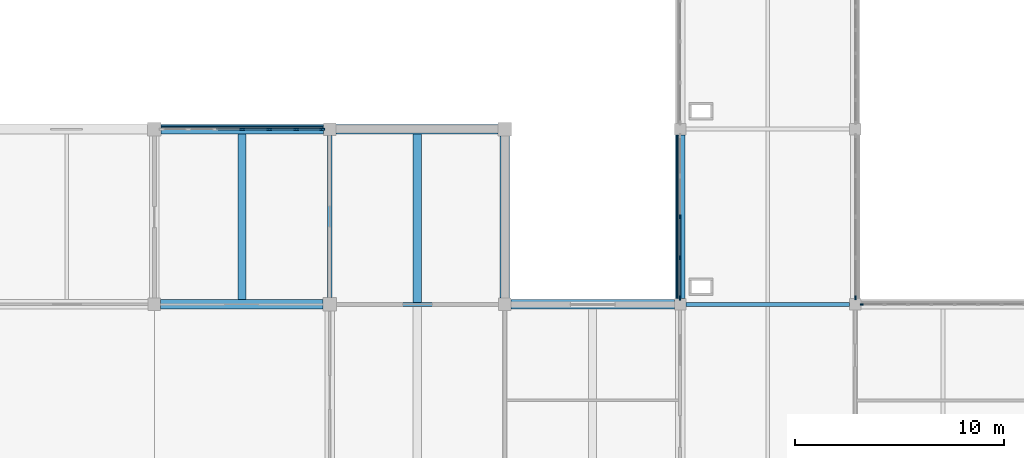
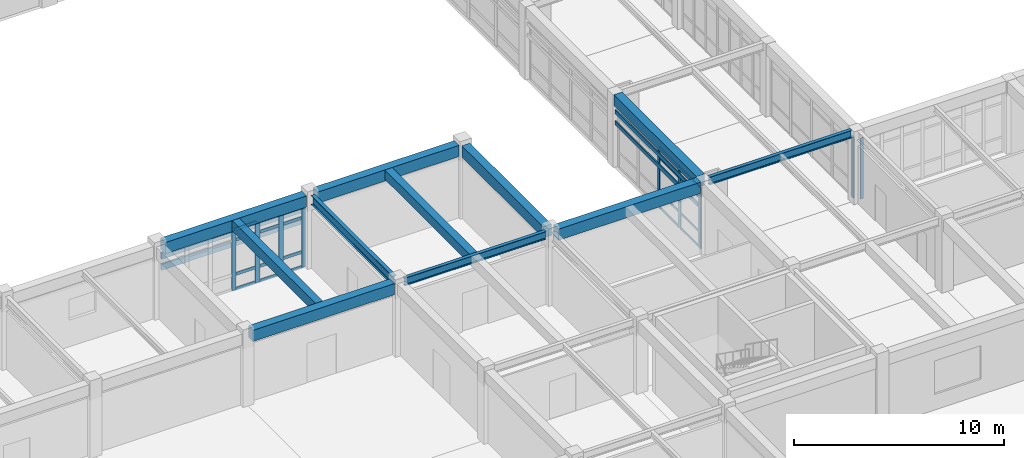
# One storey, part 21 of 78: 34 members, 11 beams, 4 elements without a shape of their own.
"""IFC4 building model written with IfcOpenShell, lengths in metres."""

from ifc_helpers import new_model, si_unit, direction, frame, origin, origin_2d, place, context, subcontext, project, spatial, rectangle, i_section, extrude, material, layer, layer_set, material_profile, profile_set, type_object, element, aggregate, save


model = new_model("IFC4")

# Units and contexts
model_context = context("Model", 3, precision=1e-05, world=origin(), true_north=direction((0.0, 1.0)))
body_context = subcontext(model_context, "Body", "Model", "MODEL_VIEW")
ifc_project = project(units=[si_unit("LENGTHUNIT", "METRE"), si_unit("AREAUNIT", "SQUARE_METRE"), si_unit("VOLUMEUNIT", "CUBIC_METRE"), si_unit("PLANEANGLEUNIT", "RADIAN"), si_unit("MASSUNIT", "GRAM", prefix="KILO")], contexts=[model_context])

# Site, building, storey
site_placement = place(None, origin())
site = spatial("IfcSite", under=ifc_project, at=site_placement, CompositionType="ELEMENT")
building_placement = place(site_placement, origin())
building = spatial("IfcBuilding", under=site, at=building_placement, Name="Porcellanite Civic Hall", CompositionType="ELEMENT")
storey_placement = place(building_placement, frame((0.0, 0.0, 10.260009765625)))
storey = spatial("IfcBuildingStorey", under=building, at=storey_placement, Name="L02", CompositionType="ELEMENT", Elevation=10.260009765625)

# Beams
ifc_material_1 = material(Name="Concrete N50 (50 MPa)", Category="concrete")
ifc_material_profile_1 = material_profile(ifc_material_1, rectangle(XDim=0.39990234375, YDim=0.550048828125, at=origin_2d()), Name="RC-400x550")
ifc_profile_set_1 = profile_set([ifc_material_profile_1], Name="Concrete N50 (50 MPa)")
beam_type_1 = type_object("IfcBeamType", Name="BM-RC550", PredefinedType="JOIST", material=ifc_profile_set_1)
beam_1_placement = place(storey_placement, frame((105.0, 67.29443359375, 3.965087890625), z_axis=(0.0, 1.0, 0.0), x_axis=(-1.0, 0.0, 0.0)))
element("IfcBeam", 1, at=beam_1_placement, inside=storey, type_object=beam_type_1, Name="Secondary joist L02 13-9", PredefinedType="JOIST", context=body_context, shape_type="SweptSolid", body=[
    extrude(rectangle(XDim=0.39990234375, YDim=0.550048828125, at=origin_2d()), origin(), (0.0, 0.0, 1.0), 8.0810546875),
])
ifc_material_2 = material(Name="Concrete N50 (50 MPa)", Category="concrete")
ifc_material_profile_2 = material_profile(ifc_material_2, rectangle(XDim=0.39990234375, YDim=0.60009765625, at=origin_2d()), Name="RC-400x600")
ifc_profile_set_2 = profile_set([ifc_material_profile_2], Name="Concrete N50 (50 MPa)")
beam_type_2 = type_object("IfcBeamType", Name="BM-RC600", PredefinedType="JOIST", material=ifc_profile_set_2)
beam_2_placement = place(storey_placement, frame((96.60009765625, 67.424560546875, 3.93994140625), z_axis=(0.0, 1.0, 0.0), x_axis=(-1.0, 0.0, 0.0)))
element("IfcBeam", 2, at=beam_2_placement, inside=storey, type_object=beam_type_2, Name="Secondary joist L02 12-9", PredefinedType="JOIST", context=body_context, shape_type="SweptSolid", body=[
    extrude(rectangle(XDim=0.39990234375, YDim=0.60009765625, at=origin_2d()), origin(), (0.0, 0.0, 1.0), 7.950927734375),
])
ifc_material_3 = material(Name="Concrete N50 (50 MPa)", Category="concrete")
ifc_material_profile_3 = material_profile(ifc_material_3, rectangle(XDim=0.449951171875, YDim=0.64990234375, at=origin_2d()), Name="RC-450x650")
ifc_profile_set_3 = profile_set([ifc_material_profile_3], Name="Concrete N50 (50 MPa)")
beam_type_3 = type_object("IfcBeamType", Name="BM-RC650", PredefinedType="SPANDREL", material=ifc_profile_set_3)
beam_3_placement = place(storey_placement, frame((92.699462890625, 67.199951171875, 3.9150390625), z_axis=(1.0, 0.0, 0.0), x_axis=(0.0, 1.0, 0.0)))
element("IfcBeam", 3, at=beam_3_placement, inside=storey, type_object=beam_type_3, Name="Beam X L02 12-9", PredefinedType="SPANDREL", context=body_context, shape_type="SweptSolid", body=[
    extrude(rectangle(XDim=0.449951171875, YDim=0.64990234375, at=origin_2d()), origin(), (0.0, 0.0, 1.0), 7.776123046875),
])
for number, where, z_axis, x_axis, name in (
    (4, (92.724609375, 75.60009765625, 3.9150390625), (1.0, 0.0, 0.0), (0.0, 1.0, 0.0), "Beam X L02 12-10"),
    (5, (101.099609375, 75.60009765625, 3.9150390625), (1.0, 0.0, 0.0), (0.0, 1.0, 0.0), "Beam X L02 13-10"),
):
    element("IfcBeam", number, at=place(storey_placement, frame(where, z_axis=z_axis, x_axis=x_axis)), inside=storey, type_object=beam_type_3, Name=name, PredefinedType="SPANDREL", context=body_context, shape_type="SweptSolid", body=[
        extrude(rectangle(XDim=0.449951171875, YDim=0.64990234375, at=origin_2d()), origin(), (0.0, 0.0, 1.0), 7.77587890625),
    ])
beam_4_placement = place(storey_placement, frame((109.49951171875, 67.199951171875, 3.9150390625), z_axis=(1.0, 0.0, 0.0), x_axis=(0.0, 1.0, 0.0)))
element("IfcBeam", 6, at=beam_4_placement, inside=storey, type_object=beam_type_3, Name="Beam X L02 14-9", PredefinedType="SPANDREL", context=body_context, shape_type="SweptSolid", body=[
    extrude(rectangle(XDim=0.449951171875, YDim=0.64990234375, at=origin_2d()), origin(), (0.0, 0.0, 1.0), 7.825927734375),
])
beam_5_placement = place(storey_placement, frame((109.199951171875, 67.49951171875, 3.9150390625), z_axis=(0.0, 1.0, 0.0), x_axis=(-1.0, 0.0, 0.0)))
element("IfcBeam", 7, at=beam_5_placement, inside=storey, type_object=beam_type_3, Name="Beam Y L02 14-9", PredefinedType="SPANDREL", context=body_context, shape_type="SweptSolid", body=[
    extrude(rectangle(XDim=0.449951171875, YDim=0.64990234375, at=origin_2d()), origin(), (0.0, 0.0, 1.0), 7.77587890625),
])
beam_6_placement = place(storey_placement, frame((117.60009765625, 67.474609375, 3.9150390625), z_axis=(0.0, 1.0, 0.0), x_axis=(-1.0, 0.0, 0.0)))
element("IfcBeam", 8, at=beam_6_placement, inside=storey, type_object=beam_type_3, Name="Beam Y L02 15-9", PredefinedType="SPANDREL", context=body_context, shape_type="SweptSolid", body=[
    extrude(rectangle(XDim=0.449951171875, YDim=0.64990234375, at=origin_2d()), origin(), (0.0, 0.0, 1.0), 7.850830078125),
])

# Curtain wall, members
ifc_material_4 = material(Name="Anodised aluminium and solar laminated glass", Category="aluminium")
ifc_layer_1 = layer(ifc_material_4, 0.179931640625)
ifc_layer_set_1 = layer_set([ifc_layer_1], Name="Anodised aluminium and solar laminated glass")
curtain_wall_type_1 = type_object("IfcCurtainWallType", Name="CW-SYS01", PredefinedType="NOTDEFINED", material=ifc_layer_set_1)
curtain_wall_1_placement = place(storey_placement, origin())
curtain_wall_1 = element("IfcCurtainWall", 9, at=curtain_wall_1_placement, inside=storey, type_object=curtain_wall_type_1, Name="Curtain wall CW-157", PredefinedType="NOTDEFINED")
ifc_material_5 = material(Name="Anodised aluminium 6063-T6", Category="aluminium")
ifc_material_profile_4 = material_profile(ifc_material_5, rectangle(XDim=0.080078125, YDim=0.239990234375, at=origin_2d()), Name="AL-80x240")
ifc_profile_set_4 = profile_set([ifc_material_profile_4], Name="Anodised aluminium 6063-T6")
member_type_1 = type_object("IfcMemberType", Name="CWM-01", PredefinedType="MULLION", material=ifc_profile_set_4)
member_1_placement = place(storey_placement, frame((96.612548828125, 75.60009765625, 0.0), z_axis=(0.0, 0.0, 1.0), x_axis=(0.0, 1.0, 0.0)))
member_1 = element("IfcMember", 10, at=member_1_placement, type_object=member_type_1, Name="CW-157 mullion 4", PredefinedType="MULLION", context=body_context, shape_type="SweptSolid", body=[
    extrude(rectangle(XDim=0.080078125, YDim=0.239990234375, at=origin_2d()), origin(), (0.0, 0.0, 1.0), 3.5400390625),
])
member_2_placement = place(storey_placement, frame((97.907958984375, 75.60009765625, 0.0), z_axis=(0.0, 0.0, 1.0), x_axis=(0.0, 1.0, 0.0)))
member_2 = element("IfcMember", 11, at=member_2_placement, type_object=member_type_1, Name="CW-157 mullion 5", PredefinedType="MULLION", context=body_context, shape_type="SweptSolid", body=[
    extrude(rectangle(XDim=0.080078125, YDim=0.239990234375, at=origin_2d()), origin(), (0.0, 0.0, 1.0), 3.5400390625),
])
member_3_placement = place(storey_placement, frame((99.20361328125, 75.60009765625, 0.0), z_axis=(0.0, 0.0, 1.0), x_axis=(0.0, 1.0, 0.0)))
member_3 = element("IfcMember", 12, at=member_3_placement, type_object=member_type_1, Name="CW-157 mullion 6", PredefinedType="MULLION", context=body_context, shape_type="SweptSolid", body=[
    extrude(rectangle(XDim=0.080078125, YDim=0.239990234375, at=origin_2d()), origin(), (0.0, 0.0, 1.0), 3.5400390625),
])
member_4_placement = place(storey_placement, frame((100.458984375, 75.60009765625, 0.0), z_axis=(0.0, 0.0, 1.0), x_axis=(0.0, 1.0, 0.0)))
member_4 = element("IfcMember", 13, at=member_4_placement, type_object=member_type_1, Name="CW-157 mullion 7", PredefinedType="MULLION", context=body_context, shape_type="SweptSolid", body=[
    extrude(rectangle(XDim=0.080078125, YDim=0.239990234375, at=origin_2d()), origin(), (0.0, 0.0, 1.0), 3.5400390625),
])

ifc_material_6 = material(Name="Anodised aluminium and solar laminated glass", Category="aluminium")
ifc_layer_2 = layer(ifc_material_6, 0.179931640625)
ifc_layer_set_2 = layer_set([ifc_layer_2], Name="Anodised aluminium and solar laminated glass")
curtain_wall_type_2 = type_object("IfcCurtainWallType", Name="CW-SYS03", PredefinedType="NOTDEFINED", material=ifc_layer_set_2)
curtain_wall_2_placement = place(storey_placement, origin())
curtain_wall_2 = element("IfcCurtainWall", 14, at=curtain_wall_2_placement, inside=storey, type_object=curtain_wall_type_2, Name="Curtain wall CW-162", PredefinedType="NOTDEFINED")
ifc_material_7 = material(Name="Anodised aluminium 6063-T6", Category="aluminium")
ifc_material_profile_5 = material_profile(ifc_material_7, rectangle(XDim=0.080078125, YDim=0.2099609375, at=origin_2d()), Name="AL-80x210")
ifc_profile_set_5 = profile_set([ifc_material_profile_5], Name="Anodised aluminium 6063-T6")
member_type_2 = type_object("IfcMemberType", Name="CWM-02", PredefinedType="MULLION", material=ifc_profile_set_5)
member_5_placement = place(storey_placement, frame((117.60009765625, 67.51611328125, 0.0), z_axis=(0.0, 0.0, 1.0), x_axis=(-1.0, 0.0, 0.0)))
member_5 = element("IfcMember", 15, at=member_5_placement, type_object=member_type_2, Name="CW-162 mullion 1", PredefinedType="MULLION", context=body_context, shape_type="SweptSolid", body=[
    extrude(rectangle(XDim=0.080078125, YDim=0.2099609375, at=origin_2d()), origin(), (0.0, 0.0, 1.0), 3.5400390625),
])
member_6_placement = place(storey_placement, frame((117.60009765625, 69.43798828125, 0.0), z_axis=(0.0, 0.0, 1.0), x_axis=(-1.0, 0.0, 0.0)))
member_6 = element("IfcMember", 16, at=member_6_placement, type_object=member_type_2, Name="CW-162 mullion 2", PredefinedType="MULLION", context=body_context, shape_type="SweptSolid", body=[
    extrude(rectangle(XDim=0.080078125, YDim=0.2099609375, at=origin_2d()), origin(), (0.0, 0.0, 1.0), 3.5400390625),
])
member_7_placement = place(storey_placement, frame((117.60009765625, 71.39990234375, 0.0), z_axis=(0.0, 0.0, 1.0), x_axis=(-1.0, 0.0, 0.0)))
member_7 = element("IfcMember", 17, at=member_7_placement, type_object=member_type_2, Name="CW-162 mullion 3", PredefinedType="MULLION", context=body_context, shape_type="SweptSolid", body=[
    extrude(rectangle(XDim=0.080078125, YDim=0.2099609375, at=origin_2d()), origin(), (0.0, 0.0, 1.0), 3.5400390625),
])

# Curtain wall, member
ifc_material_8 = material(Name="Anodised aluminium and solar laminated glass", Category="aluminium")
ifc_layer_3 = layer(ifc_material_8, 0.179931640625)
ifc_layer_set_3 = layer_set([ifc_layer_3], Name="Anodised aluminium and solar laminated glass")
curtain_wall_type_3 = type_object("IfcCurtainWallType", Name="CW-SYS04", PredefinedType="NOTDEFINED", material=ifc_layer_set_3)
curtain_wall_3_placement = place(storey_placement, origin())
curtain_wall_3 = element("IfcCurtainWall", 18, at=curtain_wall_3_placement, inside=storey, type_object=curtain_wall_type_3, Name="Curtain wall CW-163", PredefinedType="NOTDEFINED")
ifc_material_9 = material(Name="Anodised aluminium 6063-T6", Category="aluminium")
ifc_material_profile_6 = material_profile(ifc_material_9, rectangle(XDim=0.074951171875, YDim=0.18994140625, at=origin_2d()), Name="AL-75x190")
ifc_profile_set_6 = profile_set([ifc_material_profile_6], Name="Anodised aluminium 6063-T6")
member_type_3 = type_object("IfcMemberType", Name="CWM-04", PredefinedType="MULLION", material=ifc_profile_set_6)
member_8_placement = place(storey_placement, frame((126.0, 67.513427734375, 0.0), z_axis=(0.0, 0.0, 1.0), x_axis=(1.0, 0.0, 0.0)))
member_8 = element("IfcMember", 19, at=member_8_placement, type_object=member_type_3, Name="CW-163 mullion 5", PredefinedType="MULLION", context=body_context, shape_type="SweptSolid", body=[
    extrude(rectangle(XDim=0.074951171875, YDim=0.18994140625, at=origin_2d()), origin(), (0.0, 0.0, 1.0), 3.5400390625),
])
aggregate(curtain_wall_3, [member_8])

ifc_material_10 = material(Name="Anodised aluminium and solar laminated glass", Category="aluminium")
ifc_layer_4 = layer(ifc_material_10, 0.179931640625)
ifc_layer_set_4 = layer_set([ifc_layer_4], Name="Anodised aluminium and solar laminated glass")
curtain_wall_type_4 = type_object("IfcCurtainWallType", Name="CW-SYS07", PredefinedType="NOTDEFINED", material=ifc_layer_set_4)
curtain_wall_4_placement = place(storey_placement, origin())
curtain_wall_4 = element("IfcCurtainWall", 20, at=curtain_wall_4_placement, inside=storey, type_object=curtain_wall_type_4, Name="Curtain wall CW-171", PredefinedType="NOTDEFINED")
ifc_material_11 = material(Name="Anodised aluminium 6063-T6", Category="aluminium")
ifc_material_profile_7 = material_profile(ifc_material_11, rectangle(XDim=0.06005859375, YDim=0.159912109375, at=origin_2d()), Name="AL-60x160")
ifc_profile_set_7 = profile_set([ifc_material_profile_7], Name="Anodised aluminium 6063-T6")
member_type_4 = type_object("IfcMemberType", Name="CWM-07", PredefinedType="MULLION", material=ifc_profile_set_7)
member_9_placement = place(storey_placement, frame((126.305908203125, 67.199951171875, 0.0), z_axis=(0.0, 0.0, 1.0), x_axis=(0.0, 1.0, 0.0)))
member_9 = element("IfcMember", 21, at=member_9_placement, type_object=member_type_4, Name="CW-171 mullion 1", PredefinedType="MULLION", context=body_context, shape_type="SweptSolid", body=[
    extrude(rectangle(XDim=0.06005859375, YDim=0.159912109375, at=origin_2d()), origin(), (0.0, 0.0, 1.0), 3.5400390625),
])
aggregate(curtain_wall_4, [member_9])

# Member
ifc_material_12 = material(Name="Anodised aluminium 6063-T6", Category="aluminium")
ifc_material_profile_8 = material_profile(ifc_material_12, rectangle(XDim=0.070068359375, YDim=0.175048828125, at=origin_2d()), Name="AL-70x175")
ifc_profile_set_8 = profile_set([ifc_material_profile_8], Name="Anodised aluminium 6063-T6")
member_type_5 = type_object("IfcMemberType", Name="CWT-01", PredefinedType="USERDEFINED", material=ifc_profile_set_8)
member_10_placement = place(storey_placement, frame((95.35693359375, 75.60009765625, 3.5048828125), z_axis=(1.0, 0.0, 0.0), x_axis=(0.0, 1.0, 0.0)))
member_10 = element("IfcMember", 22, at=member_10_placement, type_object=member_type_5, Name="CW-157 transom 3.4", ObjectType="TRANSOM", PredefinedType="USERDEFINED", context=body_context, shape_type="SweptSolid", body=[
    extrude(rectangle(XDim=0.070068359375, YDim=0.175048828125, at=origin_2d()), origin(), (0.0, 0.0, 1.0), 1.215576171875),
])

member_11_placement = place(storey_placement, frame((96.652587890625, 75.60009765625, 0.034912109375), z_axis=(1.0, 0.0, 0.0), x_axis=(0.0, 1.0, 0.0)))
member_11 = element("IfcMember", 23, at=member_11_placement, type_object=member_type_5, Name="CW-157 transom 4.1", ObjectType="TRANSOM", PredefinedType="USERDEFINED", context=body_context, shape_type="SweptSolid", body=[
    extrude(rectangle(XDim=0.070068359375, YDim=0.175048828125, at=origin_2d()), origin(), (0.0, 0.0, 1.0), 1.21533203125),
])

member_12_placement = place(storey_placement, frame((96.652587890625, 75.60009765625, 0.89990234375), z_axis=(1.0, 0.0, 0.0), x_axis=(0.0, 1.0, 0.0)))
member_12 = element("IfcMember", 24, at=member_12_placement, type_object=member_type_5, Name="CW-157 transom 4.2", ObjectType="TRANSOM", PredefinedType="USERDEFINED", context=body_context, shape_type="SweptSolid", body=[
    extrude(rectangle(XDim=0.070068359375, YDim=0.175048828125, at=origin_2d()), origin(), (0.0, 0.0, 1.0), 1.21533203125),
])

member_13_placement = place(storey_placement, frame((96.652587890625, 75.60009765625, 2.889892578125), z_axis=(1.0, 0.0, 0.0), x_axis=(0.0, 1.0, 0.0)))
member_13 = element("IfcMember", 25, at=member_13_placement, type_object=member_type_5, Name="CW-157 transom 4.3", ObjectType="TRANSOM", PredefinedType="USERDEFINED", context=body_context, shape_type="SweptSolid", body=[
    extrude(rectangle(XDim=0.070068359375, YDim=0.175048828125, at=origin_2d()), origin(), (0.0, 0.0, 1.0), 1.21533203125),
])

member_14_placement = place(storey_placement, frame((96.652587890625, 75.60009765625, 3.5048828125), z_axis=(1.0, 0.0, 0.0), x_axis=(0.0, 1.0, 0.0)))
member_14 = element("IfcMember", 26, at=member_14_placement, type_object=member_type_5, Name="CW-157 transom 4.4", ObjectType="TRANSOM", PredefinedType="USERDEFINED", context=body_context, shape_type="SweptSolid", body=[
    extrude(rectangle(XDim=0.070068359375, YDim=0.175048828125, at=origin_2d()), origin(), (0.0, 0.0, 1.0), 1.21533203125),
])

member_15_placement = place(storey_placement, frame((97.947998046875, 75.60009765625, 0.034912109375), z_axis=(1.0, 0.0, 0.0), x_axis=(0.0, 1.0, 0.0)))
member_15 = element("IfcMember", 27, at=member_15_placement, type_object=member_type_5, Name="CW-157 transom 5.1", ObjectType="TRANSOM", PredefinedType="USERDEFINED", context=body_context, shape_type="SweptSolid", body=[
    extrude(rectangle(XDim=0.070068359375, YDim=0.175048828125, at=origin_2d()), origin(), (0.0, 0.0, 1.0), 1.215576171875),
])

member_16_placement = place(storey_placement, frame((97.947998046875, 75.60009765625, 0.89990234375), z_axis=(1.0, 0.0, 0.0), x_axis=(0.0, 1.0, 0.0)))
member_16 = element("IfcMember", 28, at=member_16_placement, type_object=member_type_5, Name="CW-157 transom 5.2", ObjectType="TRANSOM", PredefinedType="USERDEFINED", context=body_context, shape_type="SweptSolid", body=[
    extrude(rectangle(XDim=0.070068359375, YDim=0.175048828125, at=origin_2d()), origin(), (0.0, 0.0, 1.0), 1.215576171875),
])

member_17_placement = place(storey_placement, frame((97.947998046875, 75.60009765625, 2.889892578125), z_axis=(1.0, 0.0, 0.0), x_axis=(0.0, 1.0, 0.0)))
member_17 = element("IfcMember", 29, at=member_17_placement, type_object=member_type_5, Name="CW-157 transom 5.3", ObjectType="TRANSOM", PredefinedType="USERDEFINED", context=body_context, shape_type="SweptSolid", body=[
    extrude(rectangle(XDim=0.070068359375, YDim=0.175048828125, at=origin_2d()), origin(), (0.0, 0.0, 1.0), 1.215576171875),
])

member_18_placement = place(storey_placement, frame((97.947998046875, 75.60009765625, 3.5048828125), z_axis=(1.0, 0.0, 0.0), x_axis=(0.0, 1.0, 0.0)))
member_18 = element("IfcMember", 30, at=member_18_placement, type_object=member_type_5, Name="CW-157 transom 5.4", ObjectType="TRANSOM", PredefinedType="USERDEFINED", context=body_context, shape_type="SweptSolid", body=[
    extrude(rectangle(XDim=0.070068359375, YDim=0.175048828125, at=origin_2d()), origin(), (0.0, 0.0, 1.0), 1.215576171875),
])

member_19_placement = place(storey_placement, frame((99.243408203125, 75.60009765625, 0.034912109375), z_axis=(1.0, 0.0, 0.0), x_axis=(0.0, 1.0, 0.0)))
member_19 = element("IfcMember", 31, at=member_19_placement, type_object=member_type_5, Name="CW-157 transom 6.1", ObjectType="TRANSOM", PredefinedType="USERDEFINED", context=body_context, shape_type="SweptSolid", body=[
    extrude(rectangle(XDim=0.070068359375, YDim=0.175048828125, at=origin_2d()), origin(), (0.0, 0.0, 1.0), 1.175537109375),
])

member_20_placement = place(storey_placement, frame((99.243408203125, 75.60009765625, 0.89990234375), z_axis=(1.0, 0.0, 0.0), x_axis=(0.0, 1.0, 0.0)))
member_20 = element("IfcMember", 32, at=member_20_placement, type_object=member_type_5, Name="CW-157 transom 6.2", ObjectType="TRANSOM", PredefinedType="USERDEFINED", context=body_context, shape_type="SweptSolid", body=[
    extrude(rectangle(XDim=0.070068359375, YDim=0.175048828125, at=origin_2d()), origin(), (0.0, 0.0, 1.0), 1.175537109375),
])

member_21_placement = place(storey_placement, frame((99.243408203125, 75.60009765625, 2.889892578125), z_axis=(1.0, 0.0, 0.0), x_axis=(0.0, 1.0, 0.0)))
member_21 = element("IfcMember", 33, at=member_21_placement, type_object=member_type_5, Name="CW-157 transom 6.3", ObjectType="TRANSOM", PredefinedType="USERDEFINED", context=body_context, shape_type="SweptSolid", body=[
    extrude(rectangle(XDim=0.070068359375, YDim=0.175048828125, at=origin_2d()), origin(), (0.0, 0.0, 1.0), 1.175537109375),
])

member_22_placement = place(storey_placement, frame((99.243408203125, 75.60009765625, 3.5048828125), z_axis=(1.0, 0.0, 0.0), x_axis=(0.0, 1.0, 0.0)))
member_22 = element("IfcMember", 34, at=member_22_placement, type_object=member_type_5, Name="CW-157 transom 6.4", ObjectType="TRANSOM", PredefinedType="USERDEFINED", context=body_context, shape_type="SweptSolid", body=[
    extrude(rectangle(XDim=0.070068359375, YDim=0.175048828125, at=origin_2d()), origin(), (0.0, 0.0, 1.0), 1.175537109375),
])

aggregate(curtain_wall_1, [member_1, member_2, member_3, member_4, member_10, member_11, member_12, member_13, member_14, member_15, member_16, member_17, member_18, member_19, member_20, member_21, member_22])

ifc_material_13 = material(Name="Anodised aluminium 6063-T6", Category="aluminium")
ifc_material_profile_9 = material_profile(ifc_material_13, rectangle(XDim=0.054931640625, YDim=0.1201171875, at=origin_2d()), Name="AL-55x120")
ifc_profile_set_9 = profile_set([ifc_material_profile_9], Name="Anodised aluminium 6063-T6")
member_type_6 = type_object("IfcMemberType", Name="CWT-04", PredefinedType="USERDEFINED", material=ifc_profile_set_9)
member_23_placement = place(storey_placement, frame((117.60009765625, 67.555908203125, 0.027587890625), z_axis=(0.0, 1.0, 0.0), x_axis=(-1.0, 0.0, 0.0)))
member_23 = element("IfcMember", 35, at=member_23_placement, type_object=member_type_6, Name="CW-162 transom 1.1", ObjectType="TRANSOM", PredefinedType="USERDEFINED", context=body_context, shape_type="SweptSolid", body=[
    extrude(rectangle(XDim=0.054931640625, YDim=0.1201171875, at=origin_2d()), origin(), (0.0, 0.0, 1.0), 1.842041015625),
])

member_24_placement = place(storey_placement, frame((117.60009765625, 67.555908203125, 0.89990234375), z_axis=(0.0, 1.0, 0.0), x_axis=(-1.0, 0.0, 0.0)))
member_24 = element("IfcMember", 36, at=member_24_placement, type_object=member_type_6, Name="CW-162 transom 1.2", ObjectType="TRANSOM", PredefinedType="USERDEFINED", context=body_context, shape_type="SweptSolid", body=[
    extrude(rectangle(XDim=0.054931640625, YDim=0.1201171875, at=origin_2d()), origin(), (0.0, 0.0, 1.0), 1.842041015625),
])

member_25_placement = place(storey_placement, frame((117.60009765625, 67.555908203125, 2.889892578125), z_axis=(0.0, 1.0, 0.0), x_axis=(-1.0, 0.0, 0.0)))
member_25 = element("IfcMember", 37, at=member_25_placement, type_object=member_type_6, Name="CW-162 transom 1.3", ObjectType="TRANSOM", PredefinedType="USERDEFINED", context=body_context, shape_type="SweptSolid", body=[
    extrude(rectangle(XDim=0.054931640625, YDim=0.1201171875, at=origin_2d()), origin(), (0.0, 0.0, 1.0), 1.842041015625),
])

member_26_placement = place(storey_placement, frame((117.60009765625, 67.555908203125, 3.512451171875), z_axis=(0.0, 1.0, 0.0), x_axis=(-1.0, 0.0, 0.0)))
member_26 = element("IfcMember", 38, at=member_26_placement, type_object=member_type_6, Name="CW-162 transom 1.4", ObjectType="TRANSOM", PredefinedType="USERDEFINED", context=body_context, shape_type="SweptSolid", body=[
    extrude(rectangle(XDim=0.054931640625, YDim=0.1201171875, at=origin_2d()), origin(), (0.0, 0.0, 1.0), 1.842041015625),
])

member_27_placement = place(storey_placement, frame((117.60009765625, 69.47802734375, 0.027587890625), z_axis=(0.0, 1.0, 0.0), x_axis=(-1.0, 0.0, 0.0)))
member_27 = element("IfcMember", 39, at=member_27_placement, type_object=member_type_6, Name="CW-162 transom 2.1", ObjectType="TRANSOM", PredefinedType="USERDEFINED", context=body_context, shape_type="SweptSolid", body=[
    extrude(rectangle(XDim=0.054931640625, YDim=0.1201171875, at=origin_2d()), origin(), (0.0, 0.0, 1.0), 1.882080078125),
])

member_28_placement = place(storey_placement, frame((117.60009765625, 69.47802734375, 0.89990234375), z_axis=(0.0, 1.0, 0.0), x_axis=(-1.0, 0.0, 0.0)))
member_28 = element("IfcMember", 40, at=member_28_placement, type_object=member_type_6, Name="CW-162 transom 2.2", ObjectType="TRANSOM", PredefinedType="USERDEFINED", context=body_context, shape_type="SweptSolid", body=[
    extrude(rectangle(XDim=0.054931640625, YDim=0.1201171875, at=origin_2d()), origin(), (0.0, 0.0, 1.0), 1.882080078125),
])

member_29_placement = place(storey_placement, frame((117.60009765625, 69.47802734375, 2.889892578125), z_axis=(0.0, 1.0, 0.0), x_axis=(-1.0, 0.0, 0.0)))
member_29 = element("IfcMember", 41, at=member_29_placement, type_object=member_type_6, Name="CW-162 transom 2.3", ObjectType="TRANSOM", PredefinedType="USERDEFINED", context=body_context, shape_type="SweptSolid", body=[
    extrude(rectangle(XDim=0.054931640625, YDim=0.1201171875, at=origin_2d()), origin(), (0.0, 0.0, 1.0), 1.882080078125),
])

member_30_placement = place(storey_placement, frame((117.60009765625, 69.47802734375, 3.512451171875), z_axis=(0.0, 1.0, 0.0), x_axis=(-1.0, 0.0, 0.0)))
member_30 = element("IfcMember", 42, at=member_30_placement, type_object=member_type_6, Name="CW-162 transom 2.4", ObjectType="TRANSOM", PredefinedType="USERDEFINED", context=body_context, shape_type="SweptSolid", body=[
    extrude(rectangle(XDim=0.054931640625, YDim=0.1201171875, at=origin_2d()), origin(), (0.0, 0.0, 1.0), 1.882080078125),
])

aggregate(curtain_wall_2, [member_5, member_6, member_7, member_23, member_24, member_25, member_26, member_27, member_28, member_29, member_30])

# Members
ifc_material_14 = material(Name="Fluoropolymer bauxite-red aluminium 6063-T6", Category="aluminium")
ifc_material_profile_10 = material_profile(ifc_material_14, rectangle(XDim=0.090087890625, YDim=0.360107421875, at=origin_2d()), Name="AL-90x360")
ifc_profile_set_10 = profile_set([ifc_material_profile_10], Name="Fluoropolymer bauxite-red aluminium 6063-T6")
member_type_7 = type_object("IfcMemberType", Name="LV-BLD01", PredefinedType="USERDEFINED", material=ifc_profile_set_10)
for number, where, z_axis, x_axis, name in (
    (43, (92.724609375, 75.76708984375, 3.239990234375), (1.0, 0.0, 0.0), (0.0, 1.0, 0.0), "Cyclone sunshade louvre L02 N 11-8 1"),
    (44, (92.724609375, 75.76708984375, 2.590087890625), (1.0, 0.0, 0.0), (0.0, 1.0, 0.0), "Cyclone sunshade louvre L02 N 11-8 2"),
):
    element("IfcMember", number, at=place(storey_placement, frame(where, z_axis=z_axis, x_axis=x_axis)), inside=storey, type_object=member_type_7, Name=name, ObjectType="LOUVRE BLADE", PredefinedType="USERDEFINED", context=body_context, shape_type="SweptSolid", body=[
        extrude(rectangle(XDim=0.090087890625, YDim=0.360107421875, at=origin_2d()), origin(), (0.0, 0.0, 1.0), 7.77587890625),
    ])
ifc_material_15 = material(Name="Fluoropolymer bauxite-red aluminium 6063-T6", Category="aluminium")
ifc_material_profile_11 = material_profile(ifc_material_15, rectangle(XDim=0.06494140625, YDim=0.239990234375, at=origin_2d()), Name="AL-65x240")
ifc_profile_set_11 = profile_set([ifc_material_profile_11], Name="Fluoropolymer bauxite-red aluminium 6063-T6")
member_type_8 = type_object("IfcMemberType", Name="LV-BLD07", PredefinedType="USERDEFINED", material=ifc_profile_set_11)
for number, where, z_axis, x_axis, name in (
    (45, (117.46044921875, 67.474609375, 3.239990234375), (0.0, 1.0, 0.0), (-1.0, 0.0, 0.0), "Cyclone sunshade louvre L02 W 14-8 1"),
    (46, (117.46044921875, 67.474609375, 2.590087890625), (0.0, 1.0, 0.0), (-1.0, 0.0, 0.0), "Cyclone sunshade louvre L02 W 14-8 2"),
):
    element("IfcMember", number, at=place(storey_placement, frame(where, z_axis=z_axis, x_axis=x_axis)), inside=storey, type_object=member_type_8, Name=name, ObjectType="LOUVRE BLADE", PredefinedType="USERDEFINED", context=body_context, shape_type="SweptSolid", body=[
        extrude(rectangle(XDim=0.06494140625, YDim=0.239990234375, at=origin_2d()), origin(), (0.0, 0.0, 1.0), 7.850830078125),
    ])

# Beams
ifc_material_16 = material(Name="Steel Grade 350", Category="steel")
ifc_material_profile_12 = material_profile(ifc_material_16, i_section(OverallWidth=0.18994140625, OverallDepth=0.4541015625, WebThickness=0.008544921875, FlangeThickness=0.0126953125, FilletRadius=0.011474609375, at=origin_2d()), Name="460UB67.1")
ifc_profile_set_12 = profile_set([ifc_material_profile_12], Name="Steel Grade 350")
beam_type_4 = type_object("IfcBeamType", Name="RAF-460UB67", PredefinedType="BEAM", material=ifc_profile_set_12)
beam_7_placement = place(storey_placement, frame((101.12451171875, 67.199951171875, 4.012939453125), z_axis=(1.0, 0.0, 0.0), x_axis=(0.0, 1.0, 0.0)))
element("IfcBeam", 47, at=beam_7_placement, inside=storey, type_object=beam_type_4, Name="Beam X L02 13-9", PredefinedType="BEAM", context=body_context, shape_type="SweptSolid", body=[
    extrude(i_section(OverallWidth=0.18994140625, OverallDepth=0.4541015625, WebThickness=0.008544921875, FlangeThickness=0.0126953125, FilletRadius=0.011474609375, at=origin_2d()), origin(), (0.0, 0.0, 1.0), 7.77587890625),
])
beam_8_placement = place(storey_placement, frame((117.87451171875, 67.199951171875, 4.012939453125), z_axis=(1.0, 0.0, 0.0), x_axis=(0.0, 1.0, 0.0)))
element("IfcBeam", 48, at=beam_8_placement, inside=storey, type_object=beam_type_4, Name="Beam X L02 15-9", PredefinedType="BEAM", context=body_context, shape_type="SweptSolid", body=[
    extrude(i_section(OverallWidth=0.18994140625, OverallDepth=0.4541015625, WebThickness=0.008544921875, FlangeThickness=0.0126953125, FilletRadius=0.011474609375, at=origin_2d()), origin(), (0.0, 0.0, 1.0), 7.85107421875),
])
ifc_material_17 = material(Name="Steel Grade 350", Category="steel")
ifc_material_profile_13 = material_profile(ifc_material_17, i_section(OverallWidth=0.208984375, OverallDepth=0.528076171875, WebThickness=0.009521484375, FlangeThickness=0.01318359375, FilletRadius=0.013916015625, at=origin_2d()), Name="530UB82.0")
ifc_profile_set_13 = profile_set([ifc_material_profile_13], Name="Steel Grade 350")
beam_type_5 = type_object("IfcBeamType", Name="RAF-530UB82", PredefinedType="BEAM", material=ifc_profile_set_13)
beam_9_placement = place(storey_placement, frame((100.800048828125, 67.5244140625, 3.97607421875), z_axis=(0.0, 1.0, 0.0), x_axis=(-1.0, 0.0, 0.0)))
element("IfcBeam", 49, at=beam_9_placement, inside=storey, type_object=beam_type_5, Name="Beam Y L02 13-9", PredefinedType="BEAM", context=body_context, shape_type="SweptSolid", body=[
    extrude(i_section(OverallWidth=0.208984375, OverallDepth=0.528076171875, WebThickness=0.009521484375, FlangeThickness=0.01318359375, FilletRadius=0.013916015625, at=origin_2d()), origin(), (0.0, 0.0, 1.0), 7.776123046875),
])

save(model, "model.ifc")
